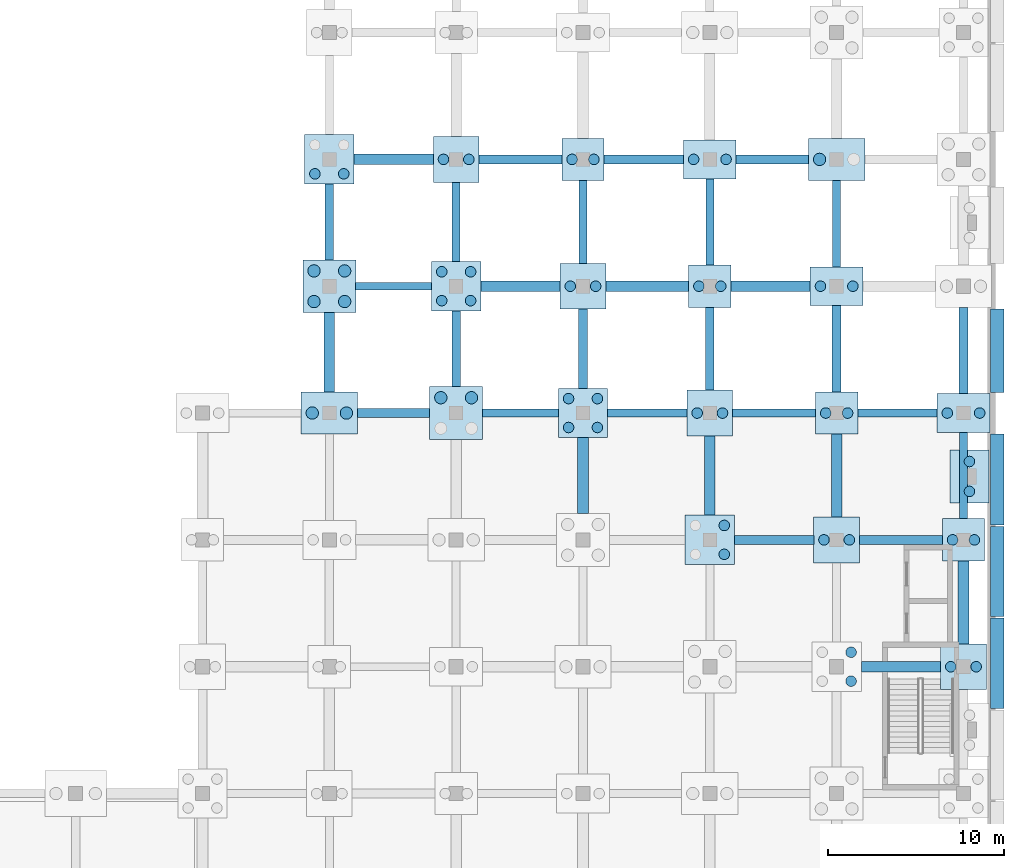
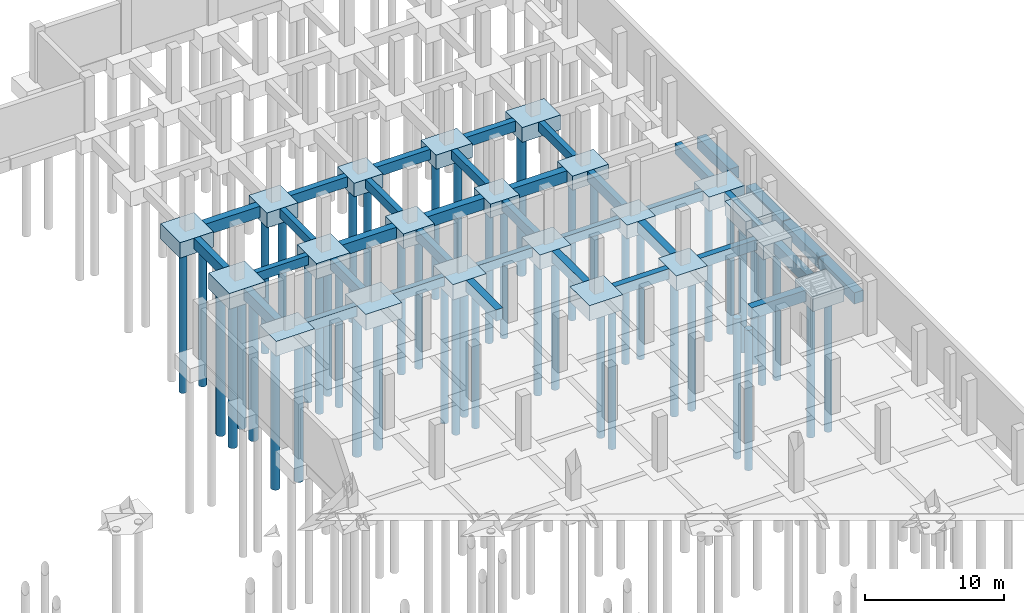
# One storey, part 14 of 38: 57 footings, 49 piles.
"""IFC4 building model written with IfcOpenShell, lengths in metres."""

from ifc_helpers import new_model, si_unit, direction, frame, origin, origin_2d, place, context, subcontext, project, spatial, rectangle, circle, extrude, material, material_profile, profile_set, type_object, element, save


model = new_model("IFC4")

# Units and contexts
model_context = context("Model", 3, precision=1e-05, world=origin(), true_north=direction((0.0, 1.0)))
body_context = subcontext(model_context, "Body", "Model", "MODEL_VIEW")
ifc_project = project(units=[si_unit("LENGTHUNIT", "METRE"), si_unit("AREAUNIT", "SQUARE_METRE"), si_unit("VOLUMEUNIT", "CUBIC_METRE"), si_unit("PLANEANGLEUNIT", "RADIAN"), si_unit("MASSUNIT", "GRAM", prefix="KILO")], contexts=[model_context])

# Site, building, storey
site_placement = place(None, origin())
site = spatial("IfcSite", under=ifc_project, at=site_placement, CompositionType="ELEMENT")
building_placement = place(site_placement, origin())
building = spatial("IfcBuilding", under=site, at=building_placement, Name="Valkovuoma Quantum and Materials Research Institute", CompositionType="ELEMENT")
storey_placement = place(building_placement, frame((0.0, 0.0, -4.800048828125)))
storey = spatial("IfcBuildingStorey", under=building, at=storey_placement, Name="B1", CompositionType="ELEMENT", Elevation=-4.800048828125)

# Footings
ifc_material_1 = material(Name="Concrete C35/45", Category="concrete")
footing_type_1 = type_object("IfcFootingType", Name="Cap-PC-03", PredefinedType="PILE_CAP", material=ifc_material_1)
for number, where, z_axis, x_axis, name in (
    (1, (144.0, 93.60009765625, -1.19970703125), (0.0, 0.0, 1.0), (1.0, 0.0, 0.0), "B1 pile cap 21P"),
    (2, (151.199951171875, 86.39990234375, -1.19970703125), (0.0, 0.0, 1.0), (1.0, 0.0, 0.0), "B1 pile cap 22N"),
    (3, (158.39990234375, 79.199951171875, -1.19970703125), (0.0, 0.0, 1.0), (1.0, 0.0, 0.0), "B1 pile cap 23M"),
    (4, (165.60009765625, 72.0, -1.19970703125), (0.0, 0.0, 1.0), (1.0, 0.0, 0.0), "B1 pile cap 24L"),
):
    element("IfcFooting", number, at=place(storey_placement, frame(where, z_axis=z_axis, x_axis=x_axis)), inside=storey, type_object=footing_type_1, Name=name, PredefinedType="PILE_CAP", context=body_context, shape_type="SweptSolid", body=[
        extrude(rectangle(XDim=2.39990234375, YDim=2.39990234375, at=origin_2d()), origin(), (0.0, 0.0, 1.0), 1.199951171875),
    ])
ifc_material_2 = material(Name="Concrete C35/45", Category="concrete")
footing_type_2 = type_object("IfcFootingType", Name="Cap-PC-04", PredefinedType="PILE_CAP", material=ifc_material_2)
for number, where, z_axis, x_axis, name in (
    (5, (136.800048828125, 93.60009765625, -1.2998046875), (0.0, 0.0, 1.0), (1.0, 0.0, 0.0), "B1 pile cap 20P"),
    (6, (144.0, 86.39990234375, -1.2998046875), (0.0, 0.0, 1.0), (1.0, 0.0, 0.0), "B1 pile cap 21N"),
    (7, (151.199951171875, 79.199951171875, -1.2998046875), (0.0, 0.0, 1.0), (1.0, 0.0, 0.0), "B1 pile cap 22M"),
    (8, (158.39990234375, 72.0, -1.2998046875), (0.0, 0.0, 1.0), (1.0, 0.0, 0.0), "B1 pile cap 23L"),
    (9, (165.60009765625, 64.800048828125, -1.2998046875), (0.0, 0.0, 1.0), (1.0, 0.0, 0.0), "B1 pile cap 24K"),
):
    element("IfcFooting", number, at=place(storey_placement, frame(where, z_axis=z_axis, x_axis=x_axis)), inside=storey, type_object=footing_type_2, Name=name, PredefinedType="PILE_CAP", context=body_context, shape_type="SweptSolid", body=[
        extrude(rectangle(XDim=2.60009765625, YDim=2.60009765625, at=origin_2d()), origin(), (0.0, 0.0, 1.0), 1.300048828125),
    ])
ifc_material_3 = material(Name="Concrete C35/45", Category="concrete")
footing_type_3 = type_object("IfcFootingType", Name="Cap-PC-05", PredefinedType="PILE_CAP", material=ifc_material_3)
for number, where, z_axis, x_axis, name in (
    (10, (129.60009765625, 93.60009765625, -1.35009765625), (0.0, 0.0, 1.0), (1.0, 0.0, 0.0), "B1 pile cap 19P"),
    (11, (136.800048828125, 86.39990234375, -1.35009765625), (0.0, 0.0, 1.0), (1.0, 0.0, 0.0), "B1 pile cap 20N"),
    (12, (144.0, 79.199951171875, -1.35009765625), (0.0, 0.0, 1.0), (1.0, 0.0, 0.0), "B1 pile cap 21M"),
    (13, (151.199951171875, 72.0, -1.35009765625), (0.0, 0.0, 1.0), (1.0, 0.0, 0.0), "B1 pile cap 22L"),
):
    element("IfcFooting", number, at=place(storey_placement, frame(where, z_axis=z_axis, x_axis=x_axis)), inside=storey, type_object=footing_type_3, Name=name, PredefinedType="PILE_CAP", context=body_context, shape_type="SweptSolid", body=[
        extrude(rectangle(XDim=2.800048828125, YDim=2.800048828125, at=origin_2d()), origin(), (0.0, 0.0, 1.0), 1.35009765625),
    ])
ifc_material_4 = material(Name="Concrete C35/45", Category="concrete")
footing_type_4 = type_object("IfcFootingType", Name="Cap-PC-06", PredefinedType="PILE_CAP", material=ifc_material_4)
for number, where, z_axis, x_axis, name in (
    (14, (129.60009765625, 86.39990234375, -1.39990234375), (0.0, 0.0, 1.0), (1.0, 0.0, 0.0), "B1 pile cap 19N"),
    (15, (136.800048828125, 79.199951171875, -1.39990234375), (0.0, 0.0, 1.0), (1.0, 0.0, 0.0), "B1 pile cap 20M"),
):
    element("IfcFooting", number, at=place(storey_placement, frame(where, z_axis=z_axis, x_axis=x_axis)), inside=storey, type_object=footing_type_4, Name=name, PredefinedType="PILE_CAP", context=body_context, shape_type="SweptSolid", body=[
        extrude(rectangle(XDim=3.0, YDim=3.0, at=origin_2d()), origin(), (0.0, 0.0, 1.0), 1.39990234375),
    ])
ifc_material_5 = material(Name="Concrete C35/45", Category="concrete")
footing_type_5 = type_object("IfcFootingType", Name="Cap-PC-11", PredefinedType="PILE_CAP", material=ifc_material_5)
for number, where, z_axis, x_axis, name in (
    (16, (151.199951171875, 93.60009765625, -1.25), (0.0, 0.0, 1.0), (1.0, 0.0, 0.0), "B1 pile cap 22P"),
    (17, (158.39990234375, 86.39990234375, -1.25), (0.0, 0.0, 1.0), (1.0, 0.0, 0.0), "B1 pile cap 23N"),
    (18, (165.60009765625, 79.199951171875, -1.25), (0.0, 0.0, 1.0), (1.0, 0.0, 0.0), "B1 pile cap 24M"),
):
    element("IfcFooting", number, at=place(storey_placement, frame(where, z_axis=z_axis, x_axis=x_axis)), inside=storey, type_object=footing_type_5, Name=name, PredefinedType="PILE_CAP", context=body_context, shape_type="SweptSolid", body=[
        extrude(rectangle(XDim=3.0, YDim=2.199951171875, at=origin_2d()), origin(), (0.0, 0.0, 1.0), 1.25),
    ])
footing_1_placement = place(storey_placement, frame((165.93994140625, 75.60009765625, -1.25), z_axis=(0.0, 0.0, 1.0), x_axis=(1.0, 0.0, 0.0)))
element("IfcFooting", 19, at=footing_1_placement, inside=storey, type_object=footing_type_5, Name="B1 pilaster pile cap 03", PredefinedType="PILE_CAP", context=body_context, shape_type="SweptSolid", body=[
    extrude(rectangle(XDim=2.199951171875, YDim=3.0, at=origin_2d()), origin(), (0.0, 0.0, 1.0), 1.25),
])
ifc_material_6 = material(Name="Concrete C35/45", Category="concrete")
footing_type_6 = type_object("IfcFootingType", Name="Cap-PC-12", PredefinedType="PILE_CAP", material=ifc_material_6)
for number, where, z_axis, x_axis, name in (
    (20, (129.60009765625, 79.199951171875, -1.2998046875), (0.0, 0.0, 1.0), (1.0, 0.0, 0.0), "B1 pile cap 19M"),
    (21, (158.39990234375, 93.60009765625, -1.2998046875), (0.0, 0.0, 1.0), (1.0, 0.0, 0.0), "B1 pile cap 23P"),
):
    element("IfcFooting", number, at=place(storey_placement, frame(where, z_axis=z_axis, x_axis=x_axis)), inside=storey, type_object=footing_type_6, Name=name, PredefinedType="PILE_CAP", context=body_context, shape_type="SweptSolid", body=[
        extrude(rectangle(XDim=3.199951171875, YDim=2.39990234375, at=origin_2d()), origin(), (0.0, 0.0, 1.0), 1.300048828125),
    ])
ifc_material_7 = material(Name="Concrete C35/45", Category="concrete")
footing_type_7 = type_object("IfcFootingType", Name="GndBeam-FB-01", PredefinedType="FOOTING_BEAM", material=ifc_material_7)
for number, where, z_axis, x_axis, name in (
    (22, (133.25, 86.39990234375, -0.7998046875), (0.0, 0.0, 1.0), (1.0, 0.0, 0.0), "B1 ground tie beam X-297"),
    (23, (140.449951171875, 79.199951171875, -0.7998046875), (0.0, 0.0, 1.0), (1.0, 0.0, 0.0), "B1 ground tie beam X-321"),
):
    element("IfcFooting", number, at=place(storey_placement, frame(where, z_axis=z_axis, x_axis=x_axis)), inside=storey, type_object=footing_type_7, Name=name, PredefinedType="FOOTING_BEAM", context=body_context, shape_type="SweptSolid", body=[
        extrude(rectangle(XDim=4.300048828125, YDim=0.449951171875, at=origin_2d()), origin(), (0.0, 0.0, 1.0), 0.800048828125),
    ])
for number, where, z_axis, x_axis, name in (
    (24, (136.800048828125, 90.050048828125, -0.7998046875), (0.0, 0.0, 1.0), (0.0, 1.0, 0.0), "B1 ground tie beam Y-324"),
    (25, (147.64990234375, 79.199951171875, -0.7998046875), (0.0, 0.0, 1.0), (1.0, 0.0, 0.0), "B1 ground tie beam X-354"),
):
    element("IfcFooting", number, at=place(storey_placement, frame(where, z_axis=z_axis, x_axis=x_axis)), inside=storey, type_object=footing_type_7, Name=name, PredefinedType="FOOTING_BEAM", context=body_context, shape_type="SweptSolid", body=[
        extrude(rectangle(XDim=4.5, YDim=0.449951171875, at=origin_2d()), origin(), (0.0, 0.0, 1.0), 0.800048828125),
    ])
for number, where, z_axis, x_axis, name in (
    (26, (144.0, 90.050048828125, -0.7998046875), (0.0, 0.0, 1.0), (0.0, 1.0, 0.0), "B1 ground tie beam Y-357"),
    (27, (154.85009765625, 79.199951171875, -0.7998046875), (0.0, 0.0, 1.0), (1.0, 0.0, 0.0), "B1 ground tie beam X-387"),
):
    element("IfcFooting", number, at=place(storey_placement, frame(where, z_axis=z_axis, x_axis=x_axis)), inside=storey, type_object=footing_type_7, Name=name, PredefinedType="FOOTING_BEAM", context=body_context, shape_type="SweptSolid", body=[
        extrude(rectangle(XDim=4.699951171875, YDim=0.449951171875, at=origin_2d()), origin(), (0.0, 0.0, 1.0), 0.800048828125),
    ])
footing_2_placement = place(storey_placement, frame((151.199951171875, 90.050048828125, -0.7998046875), z_axis=(0.0, 0.0, 1.0), x_axis=(0.0, 1.0, 0.0)))
element("IfcFooting", 28, at=footing_2_placement, inside=storey, type_object=footing_type_7, Name="B1 ground tie beam Y-390", PredefinedType="FOOTING_BEAM", context=body_context, shape_type="SweptSolid", body=[
    extrude(rectangle(XDim=4.89990234375, YDim=0.449951171875, at=origin_2d()), origin(), (0.0, 0.0, 1.0), 0.800048828125),
])
footing_3_placement = place(storey_placement, frame((161.85009765625, 79.199951171875, -0.7998046875), z_axis=(0.0, 0.0, 1.0), x_axis=(1.0, 0.0, 0.0)))
element("IfcFooting", 29, at=footing_3_placement, inside=storey, type_object=footing_type_7, Name="B1 ground tie beam X-420", PredefinedType="FOOTING_BEAM", context=body_context, shape_type="SweptSolid", body=[
    extrude(rectangle(XDim=4.5, YDim=0.449951171875, at=origin_2d()), origin(), (0.0, 0.0, 1.0), 0.800048828125),
])
for number, where, z_axis, x_axis, name in (
    (30, (158.39990234375, 89.949951171875, -0.7998046875), (0.0, 0.0, 1.0), (0.0, 1.0, 0.0), "B1 ground tie beam Y-423"),
    (31, (165.60009765625, 75.64990234375, -0.7998046875), (0.0, 0.0, 1.0), (0.0, 1.0, 0.0), "B1 ground tie beam Y-441"),
):
    element("IfcFooting", number, at=place(storey_placement, frame(where, z_axis=z_axis, x_axis=x_axis)), inside=storey, type_object=footing_type_7, Name=name, PredefinedType="FOOTING_BEAM", context=body_context, shape_type="SweptSolid", body=[
        extrude(rectangle(XDim=4.89990234375, YDim=0.449951171875, at=origin_2d()), origin(), (0.0, 0.0, 1.0), 0.800048828125),
    ])
ifc_material_8 = material(Name="Concrete C35/45", Category="concrete")
footing_type_8 = type_object("IfcFootingType", Name="GndBeam-FB-02", PredefinedType="FOOTING_BEAM", material=ifc_material_8)
footing_4_placement = place(storey_placement, frame((133.25, 79.199951171875, -0.89990234375), z_axis=(0.0, 0.0, 1.0), x_axis=(1.0, 0.0, 0.0)))
element("IfcFooting", 32, at=footing_4_placement, inside=storey, type_object=footing_type_8, Name="B1 ground tie beam X-295", PredefinedType="FOOTING_BEAM", context=body_context, shape_type="SweptSolid", body=[
    extrude(rectangle(XDim=4.10009765625, YDim=0.5, at=origin_2d()), origin(), (0.0, 0.0, 1.0), 0.89990234375),
])
for number, where, z_axis, x_axis, name in (
    (33, (129.60009765625, 90.050048828125, -0.89990234375), (0.0, 0.0, 1.0), (0.0, 1.0, 0.0), "B1 ground tie beam Y-298"),
    (34, (136.800048828125, 82.85009765625, -0.89990234375), (0.0, 0.0, 1.0), (0.0, 1.0, 0.0), "B1 ground tie beam Y-322"),
):
    element("IfcFooting", number, at=place(storey_placement, frame(where, z_axis=z_axis, x_axis=x_axis)), inside=storey, type_object=footing_type_8, Name=name, PredefinedType="FOOTING_BEAM", context=body_context, shape_type="SweptSolid", body=[
        extrude(rectangle(XDim=4.300048828125, YDim=0.5, at=origin_2d()), origin(), (0.0, 0.0, 1.0), 0.89990234375),
    ])
footing_5_placement = place(storey_placement, frame((140.449951171875, 93.60009765625, -0.89990234375), z_axis=(0.0, 0.0, 1.0), x_axis=(1.0, 0.0, 0.0)))
element("IfcFooting", 35, at=footing_5_placement, inside=storey, type_object=footing_type_8, Name="B1 ground tie beam X-325", PredefinedType="FOOTING_BEAM", context=body_context, shape_type="SweptSolid", body=[
    extrude(rectangle(XDim=4.699951171875, YDim=0.5, at=origin_2d()), origin(), (0.0, 0.0, 1.0), 0.89990234375),
])
for number, where, z_axis, x_axis, name in (
    (36, (144.0, 82.85009765625, -0.89990234375), (0.0, 0.0, 1.0), (0.0, 1.0, 0.0), "B1 ground tie beam Y-355"),
    (37, (147.449951171875, 93.60009765625, -0.89990234375), (0.0, 0.0, 1.0), (1.0, 0.0, 0.0), "B1 ground tie beam X-358"),
    (38, (154.85009765625, 72.0, -0.89990234375), (0.0, 0.0, 1.0), (1.0, 0.0, 0.0), "B1 ground tie beam X-385"),
):
    element("IfcFooting", number, at=place(storey_placement, frame(where, z_axis=z_axis, x_axis=x_axis)), inside=storey, type_object=footing_type_8, Name=name, PredefinedType="FOOTING_BEAM", context=body_context, shape_type="SweptSolid", body=[
        extrude(rectangle(XDim=4.5, YDim=0.5, at=origin_2d()), origin(), (0.0, 0.0, 1.0), 0.89990234375),
    ])
footing_6_placement = place(storey_placement, frame((151.199951171875, 82.85009765625, -0.89990234375), z_axis=(0.0, 0.0, 1.0), x_axis=(0.0, 1.0, 0.0)))
element("IfcFooting", 39, at=footing_6_placement, inside=storey, type_object=footing_type_8, Name="B1 ground tie beam Y-388", PredefinedType="FOOTING_BEAM", context=body_context, shape_type="SweptSolid", body=[
    extrude(rectangle(XDim=4.699951171875, YDim=0.5, at=origin_2d()), origin(), (0.0, 0.0, 1.0), 0.89990234375),
])
footing_7_placement = place(storey_placement, frame((154.75, 93.60009765625, -0.89990234375), z_axis=(0.0, 0.0, 1.0), x_axis=(1.0, 0.0, 0.0)))
element("IfcFooting", 40, at=footing_7_placement, inside=storey, type_object=footing_type_8, Name="B1 ground tie beam X-391", PredefinedType="FOOTING_BEAM", context=body_context, shape_type="SweptSolid", body=[
    extrude(rectangle(XDim=4.10009765625, YDim=0.5, at=origin_2d()), origin(), (0.0, 0.0, 1.0), 0.89990234375),
])
footing_8_placement = place(storey_placement, frame((162.050048828125, 72.0, -0.89990234375), z_axis=(0.0, 0.0, 1.0), x_axis=(1.0, 0.0, 0.0)))
element("IfcFooting", 41, at=footing_8_placement, inside=storey, type_object=footing_type_8, Name="B1 ground tie beam X-418", PredefinedType="FOOTING_BEAM", context=body_context, shape_type="SweptSolid", body=[
    extrude(rectangle(XDim=4.699951171875, YDim=0.5, at=origin_2d()), origin(), (0.0, 0.0, 1.0), 0.89990234375),
])
for number, where, z_axis, x_axis, name in (
    (42, (158.39990234375, 82.85009765625, -0.89990234375), (0.0, 0.0, 1.0), (0.0, 1.0, 0.0), "B1 ground tie beam Y-421"),
    (43, (165.60009765625, 82.75, -0.89990234375), (0.0, 0.0, 1.0), (0.0, 1.0, 0.0), "B1 ground tie beam Y-442"),
):
    element("IfcFooting", number, at=place(storey_placement, frame(where, z_axis=z_axis, x_axis=x_axis)), inside=storey, type_object=footing_type_8, Name=name, PredefinedType="FOOTING_BEAM", context=body_context, shape_type="SweptSolid", body=[
        extrude(rectangle(XDim=4.89990234375, YDim=0.5, at=origin_2d()), origin(), (0.0, 0.0, 1.0), 0.89990234375),
    ])
ifc_material_9 = material(Name="Concrete C35/45", Category="concrete")
footing_type_9 = type_object("IfcFootingType", Name="GndBeam-FB-03", PredefinedType="FOOTING_BEAM", material=ifc_material_9)
for number, where, z_axis, x_axis, name in (
    (44, (129.60009765625, 82.64990234375, -1.0), (0.0, 0.0, 1.0), (0.0, 1.0, 0.0), "B1 ground tie beam Y-296"),
    (45, (133.25, 93.60009765625, -1.0), (0.0, 0.0, 1.0), (1.0, 0.0, 0.0), "B1 ground tie beam X-299"),
    (46, (140.449951171875, 86.39990234375, -1.0), (0.0, 0.0, 1.0), (1.0, 0.0, 0.0), "B1 ground tie beam X-323"),
):
    element("IfcFooting", number, at=place(storey_placement, frame(where, z_axis=z_axis, x_axis=x_axis)), inside=storey, type_object=footing_type_9, Name=name, PredefinedType="FOOTING_BEAM", context=body_context, shape_type="SweptSolid", body=[
        extrude(rectangle(XDim=4.5, YDim=0.60009765625, at=origin_2d()), origin(), (0.0, 0.0, 1.0), 1.0),
    ])
footing_9_placement = place(storey_placement, frame((144.0, 75.64990234375, -1.0), z_axis=(0.0, 0.0, 1.0), x_axis=(0.0, 1.0, 0.0)))
element("IfcFooting", 47, at=footing_9_placement, inside=storey, type_object=footing_type_9, Name="B1 ground tie beam Y-353", PredefinedType="FOOTING_BEAM", context=body_context, shape_type="SweptSolid", body=[
    extrude(rectangle(XDim=4.300048828125, YDim=0.60009765625, at=origin_2d()), origin(), (0.0, 0.0, 1.0), 1.0),
])
footing_10_placement = place(storey_placement, frame((147.64990234375, 86.39990234375, -1.0), z_axis=(0.0, 0.0, 1.0), x_axis=(1.0, 0.0, 0.0)))
element("IfcFooting", 48, at=footing_10_placement, inside=storey, type_object=footing_type_9, Name="B1 ground tie beam X-356", PredefinedType="FOOTING_BEAM", context=body_context, shape_type="SweptSolid", body=[
    extrude(rectangle(XDim=4.699951171875, YDim=0.60009765625, at=origin_2d()), origin(), (0.0, 0.0, 1.0), 1.0),
])
for number, where, z_axis, x_axis, name in (
    (49, (151.199951171875, 75.64990234375, -1.0), (0.0, 0.0, 1.0), (0.0, 1.0, 0.0), "B1 ground tie beam Y-386"),
    (50, (154.64990234375, 86.39990234375, -1.0), (0.0, 0.0, 1.0), (1.0, 0.0, 0.0), "B1 ground tie beam X-389"),
    (51, (162.050048828125, 64.800048828125, -1.0), (0.0, 0.0, 1.0), (1.0, 0.0, 0.0), "B1 ground tie beam X-416"),
):
    element("IfcFooting", number, at=place(storey_placement, frame(where, z_axis=z_axis, x_axis=x_axis)), inside=storey, type_object=footing_type_9, Name=name, PredefinedType="FOOTING_BEAM", context=body_context, shape_type="SweptSolid", body=[
        extrude(rectangle(XDim=4.5, YDim=0.60009765625, at=origin_2d()), origin(), (0.0, 0.0, 1.0), 1.0),
    ])
for number, where, z_axis, x_axis, name in (
    (52, (158.39990234375, 75.64990234375, -1.0), (0.0, 0.0, 1.0), (0.0, 1.0, 0.0), "B1 ground tie beam Y-419"),
    (53, (165.60009765625, 68.449951171875, -1.0), (0.0, 0.0, 1.0), (0.0, 1.0, 0.0), "B1 ground tie beam Y-440"),
):
    element("IfcFooting", number, at=place(storey_placement, frame(where, z_axis=z_axis, x_axis=x_axis)), inside=storey, type_object=footing_type_9, Name=name, PredefinedType="FOOTING_BEAM", context=body_context, shape_type="SweptSolid", body=[
        extrude(rectangle(XDim=4.699951171875, YDim=0.60009765625, at=origin_2d()), origin(), (0.0, 0.0, 1.0), 1.0),
    ])
ifc_material_10 = material(Name="Concrete C35/45", Category="concrete")
footing_type_10 = type_object("IfcFootingType", Name="Pad-PF-04", PredefinedType="PAD_FOOTING", material=ifc_material_10)
for number, where, z_axis, x_axis, name in (
    (54, (167.52001953125, 65.0, -1.0), (0.0, 0.0, 1.0), (0.0, 1.0, 0.0), "B1 retaining wall pad footing 025"),
    (55, (167.52001953125, 70.2080078125, -1.0), (0.0, 0.0, 1.0), (0.0, 1.0, 0.0), "B1 retaining wall pad footing 026"),
):
    element("IfcFooting", number, at=place(storey_placement, frame(where, z_axis=z_axis, x_axis=x_axis)), inside=storey, type_object=footing_type_10, Name=name, PredefinedType="PAD_FOOTING", context=body_context, shape_type="SweptSolid", body=[
        extrude(rectangle(XDim=5.1279296875, YDim=0.760009765625, at=origin_2d()), origin(), (0.0, 0.0, 1.0), 1.0),
    ])
footing_11_placement = place(storey_placement, frame((167.52001953125, 75.43603515625, -1.0), z_axis=(0.0, 0.0, 1.0), x_axis=(0.0, 1.0, 0.0)))
element("IfcFooting", 56, at=footing_11_placement, inside=storey, type_object=footing_type_10, Name="B1 retaining wall pad footing 027", PredefinedType="PAD_FOOTING", context=body_context, shape_type="SweptSolid", body=[
    extrude(rectangle(XDim=5.16796875, YDim=0.760009765625, at=origin_2d()), origin(), (0.0, 0.0, 1.0), 1.0),
])
footing_12_placement = place(storey_placement, frame((167.52001953125, 82.75, -1.0), z_axis=(0.0, 0.0, 1.0), x_axis=(0.0, 1.0, 0.0)))
element("IfcFooting", 57, at=footing_12_placement, inside=storey, type_object=footing_type_10, Name="B1 retaining wall pad footing 028", PredefinedType="PAD_FOOTING", context=body_context, shape_type="SweptSolid", body=[
    extrude(rectangle(XDim=4.739990234375, YDim=0.760009765625, at=origin_2d()), origin(), (0.0, 0.0, 1.0), 1.0),
])

# Piles
ifc_material_11 = material(Name="Concrete C40/50", Category="concrete")
ifc_material_profile_1 = material_profile(ifc_material_11, circle(Radius=0.300048828125, at=origin_2d()), Name="Concrete C40/50")
ifc_profile_set_1 = profile_set([ifc_material_profile_1], Name="Concrete C40/50")
pile_type_1 = type_object("IfcPileType", Name="Pile-PL-B600", PredefinedType="BORED", material=ifc_profile_set_1)
for number, where, z_axis, x_axis, name in (
    (58, (128.780029296875, 92.780029296875, -1.25), (0.0, 0.0, -1.0), (1.0, 0.0, 0.0), "B1 pile 19P-1"),
    (59, (130.419921875, 92.780029296875, -1.25), (0.0, 0.0, -1.0), (1.0, 0.0, 0.0), "B1 pile 19P-2"),
    (60, (135.97998046875, 85.580078125, -1.25), (0.0, 0.0, -1.0), (1.0, 0.0, 0.0), "B1 pile 20N-1"),
    (61, (137.6201171875, 85.580078125, -1.25), (0.0, 0.0, -1.0), (1.0, 0.0, 0.0), "B1 pile 20N-2"),
    (62, (135.97998046875, 87.219970703125, -1.25), (0.0, 0.0, -1.0), (1.0, 0.0, 0.0), "B1 pile 20N-3"),
    (63, (137.6201171875, 87.219970703125, -1.25), (0.0, 0.0, -1.0), (1.0, 0.0, 0.0), "B1 pile 20N-4"),
):
    element("IfcPile", number, at=place(storey_placement, frame(where, z_axis=z_axis, x_axis=x_axis)), inside=storey, type_object=pile_type_1, Name=name, PredefinedType="BORED", context=body_context, shape_type="SweptSolid", body=[
        extrude(circle(Radius=0.300048828125, at=origin_2d()), origin(), (0.0, 0.0, 1.0), 12.35009765625),
    ])
for number, where, z_axis, x_axis, name in (
    (64, (136.080078125, 93.60009765625, -1.199951171875), (0.0, 0.0, -1.0), (1.0, 0.0, 0.0), "B1 pile 20P-1"),
    (65, (137.52001953125, 93.60009765625, -1.199951171875), (0.0, 0.0, -1.0), (1.0, 0.0, 0.0), "B1 pile 20P-2"),
):
    element("IfcPile", number, at=place(storey_placement, frame(where, z_axis=z_axis, x_axis=x_axis)), inside=storey, type_object=pile_type_1, Name=name, PredefinedType="BORED", context=body_context, shape_type="SweptSolid", body=[
        extrude(circle(Radius=0.300048828125, at=origin_2d()), origin(), (0.0, 0.0, 1.0), 12.0),
    ])
for number, where, z_axis, x_axis, name in (
    (66, (143.179931640625, 78.3798828125, -1.25), (0.0, 0.0, -1.0), (1.0, 0.0, 0.0), "B1 pile 21M-1"),
    (67, (144.820068359375, 78.3798828125, -1.25), (0.0, 0.0, -1.0), (1.0, 0.0, 0.0), "B1 pile 21M-2"),
    (68, (143.179931640625, 80.02001953125, -1.25), (0.0, 0.0, -1.0), (1.0, 0.0, 0.0), "B1 pile 21M-3"),
    (69, (144.820068359375, 80.02001953125, -1.25), (0.0, 0.0, -1.0), (1.0, 0.0, 0.0), "B1 pile 21M-4"),
):
    element("IfcPile", number, at=place(storey_placement, frame(where, z_axis=z_axis, x_axis=x_axis)), inside=storey, type_object=pile_type_1, Name=name, PredefinedType="BORED", context=body_context, shape_type="SweptSolid", body=[
        extrude(circle(Radius=0.300048828125, at=origin_2d()), origin(), (0.0, 0.0, 1.0), 12.35009765625),
    ])
for number, where, z_axis, x_axis, name in (
    (70, (143.280029296875, 86.39990234375, -1.199951171875), (0.0, 0.0, -1.0), (1.0, 0.0, 0.0), "B1 pile 21N-1"),
    (71, (144.719970703125, 86.39990234375, -1.199951171875), (0.0, 0.0, -1.0), (1.0, 0.0, 0.0), "B1 pile 21N-2"),
):
    element("IfcPile", number, at=place(storey_placement, frame(where, z_axis=z_axis, x_axis=x_axis)), inside=storey, type_object=pile_type_1, Name=name, PredefinedType="BORED", context=body_context, shape_type="SweptSolid", body=[
        extrude(circle(Radius=0.300048828125, at=origin_2d()), origin(), (0.0, 0.0, 1.0), 12.0),
    ])
for number, where, z_axis, x_axis, name in (
    (72, (143.3798828125, 93.60009765625, -1.099853515625), (0.0, 0.0, -1.0), (1.0, 0.0, 0.0), "B1 pile 21P-1"),
    (73, (144.6201171875, 93.60009765625, -1.099853515625), (0.0, 0.0, -1.0), (1.0, 0.0, 0.0), "B1 pile 21P-2"),
):
    element("IfcPile", number, at=place(storey_placement, frame(where, z_axis=z_axis, x_axis=x_axis)), inside=storey, type_object=pile_type_1, Name=name, PredefinedType="BORED", context=body_context, shape_type="SweptSolid", body=[
        extrude(circle(Radius=0.300048828125, at=origin_2d()), origin(), (0.0, 0.0, 1.0), 11.89990234375),
    ])
for number, where, z_axis, x_axis, name in (
    (74, (152.02001953125, 71.179931640625, -1.25), (0.0, 0.0, -1.0), (1.0, 0.0, 0.0), "B1 pile 22L-2"),
    (75, (152.02001953125, 72.820068359375, -1.25), (0.0, 0.0, -1.0), (1.0, 0.0, 0.0), "B1 pile 22L-4"),
):
    element("IfcPile", number, at=place(storey_placement, frame(where, z_axis=z_axis, x_axis=x_axis)), inside=storey, type_object=pile_type_1, Name=name, PredefinedType="BORED", context=body_context, shape_type="SweptSolid", body=[
        extrude(circle(Radius=0.300048828125, at=origin_2d()), origin(), (0.0, 0.0, 1.0), 12.35009765625),
    ])
for number, where, z_axis, x_axis, name in (
    (76, (150.47998046875, 79.199951171875, -1.199951171875), (0.0, 0.0, -1.0), (1.0, 0.0, 0.0), "B1 pile 22M-1"),
    (77, (151.919921875, 79.199951171875, -1.199951171875), (0.0, 0.0, -1.0), (1.0, 0.0, 0.0), "B1 pile 22M-2"),
):
    element("IfcPile", number, at=place(storey_placement, frame(where, z_axis=z_axis, x_axis=x_axis)), inside=storey, type_object=pile_type_1, Name=name, PredefinedType="BORED", context=body_context, shape_type="SweptSolid", body=[
        extrude(circle(Radius=0.300048828125, at=origin_2d()), origin(), (0.0, 0.0, 1.0), 12.0),
    ])
for number, where, z_axis, x_axis, name in (
    (78, (150.580078125, 86.39990234375, -1.099853515625), (0.0, 0.0, -1.0), (1.0, 0.0, 0.0), "B1 pile 22N-1"),
    (79, (151.820068359375, 86.39990234375, -1.099853515625), (0.0, 0.0, -1.0), (1.0, 0.0, 0.0), "B1 pile 22N-2"),
):
    element("IfcPile", number, at=place(storey_placement, frame(where, z_axis=z_axis, x_axis=x_axis)), inside=storey, type_object=pile_type_1, Name=name, PredefinedType="BORED", context=body_context, shape_type="SweptSolid", body=[
        extrude(circle(Radius=0.300048828125, at=origin_2d()), origin(), (0.0, 0.0, 1.0), 11.89990234375),
    ])
for number, where, z_axis, x_axis, name in (
    (80, (150.280029296875, 93.60009765625, -1.14990234375), (0.0, 0.0, -1.0), (1.0, 0.0, 0.0), "B1 pile 22P-1"),
    (81, (152.1201171875, 93.60009765625, -1.14990234375), (0.0, 0.0, -1.0), (1.0, 0.0, 0.0), "B1 pile 22P-2"),
):
    element("IfcPile", number, at=place(storey_placement, frame(where, z_axis=z_axis, x_axis=x_axis)), inside=storey, type_object=pile_type_1, Name=name, PredefinedType="BORED", context=body_context, shape_type="SweptSolid", body=[
        extrude(circle(Radius=0.300048828125, at=origin_2d()), origin(), (0.0, 0.0, 1.0), 12.25),
    ])
for number, where, z_axis, x_axis, name in (
    (82, (159.219970703125, 63.97998046875, -1.25), (0.0, 0.0, -1.0), (1.0, 0.0, 0.0), "B1 pile 23K-2"),
    (83, (159.219970703125, 65.6201171875, -1.25), (0.0, 0.0, -1.0), (1.0, 0.0, 0.0), "B1 pile 23K-4"),
):
    element("IfcPile", number, at=place(storey_placement, frame(where, z_axis=z_axis, x_axis=x_axis)), inside=storey, type_object=pile_type_1, Name=name, PredefinedType="BORED", context=body_context, shape_type="SweptSolid", body=[
        extrude(circle(Radius=0.300048828125, at=origin_2d()), origin(), (0.0, 0.0, 1.0), 12.35009765625),
    ])
for number, where, z_axis, x_axis, name in (
    (84, (157.679931640625, 72.0, -1.199951171875), (0.0, 0.0, -1.0), (1.0, 0.0, 0.0), "B1 pile 23L-1"),
    (85, (159.1201171875, 72.0, -1.199951171875), (0.0, 0.0, -1.0), (1.0, 0.0, 0.0), "B1 pile 23L-2"),
):
    element("IfcPile", number, at=place(storey_placement, frame(where, z_axis=z_axis, x_axis=x_axis)), inside=storey, type_object=pile_type_1, Name=name, PredefinedType="BORED", context=body_context, shape_type="SweptSolid", body=[
        extrude(circle(Radius=0.300048828125, at=origin_2d()), origin(), (0.0, 0.0, 1.0), 12.0),
    ])
for number, where, z_axis, x_axis, name in (
    (86, (157.780029296875, 79.199951171875, -1.099853515625), (0.0, 0.0, -1.0), (1.0, 0.0, 0.0), "B1 pile 23M-1"),
    (87, (159.02001953125, 79.199951171875, -1.099853515625), (0.0, 0.0, -1.0), (1.0, 0.0, 0.0), "B1 pile 23M-2"),
):
    element("IfcPile", number, at=place(storey_placement, frame(where, z_axis=z_axis, x_axis=x_axis)), inside=storey, type_object=pile_type_1, Name=name, PredefinedType="BORED", context=body_context, shape_type="SweptSolid", body=[
        extrude(circle(Radius=0.300048828125, at=origin_2d()), origin(), (0.0, 0.0, 1.0), 11.89990234375),
    ])
for number, where, z_axis, x_axis, name in (
    (88, (157.47998046875, 86.39990234375, -1.14990234375), (0.0, 0.0, -1.0), (1.0, 0.0, 0.0), "B1 pile 23N-1"),
    (89, (159.320068359375, 86.39990234375, -1.14990234375), (0.0, 0.0, -1.0), (1.0, 0.0, 0.0), "B1 pile 23N-2"),
):
    element("IfcPile", number, at=place(storey_placement, frame(where, z_axis=z_axis, x_axis=x_axis)), inside=storey, type_object=pile_type_1, Name=name, PredefinedType="BORED", context=body_context, shape_type="SweptSolid", body=[
        extrude(circle(Radius=0.300048828125, at=origin_2d()), origin(), (0.0, 0.0, 1.0), 12.25),
    ])
for number, where, z_axis, x_axis, name in (
    (90, (164.8798828125, 64.800048828125, -1.199951171875), (0.0, 0.0, -1.0), (1.0, 0.0, 0.0), "B1 pile 24K-1"),
    (91, (166.320068359375, 64.800048828125, -1.199951171875), (0.0, 0.0, -1.0), (1.0, 0.0, 0.0), "B1 pile 24K-2"),
):
    element("IfcPile", number, at=place(storey_placement, frame(where, z_axis=z_axis, x_axis=x_axis)), inside=storey, type_object=pile_type_1, Name=name, PredefinedType="BORED", context=body_context, shape_type="SweptSolid", body=[
        extrude(circle(Radius=0.300048828125, at=origin_2d()), origin(), (0.0, 0.0, 1.0), 12.0),
    ])
for number, where, z_axis, x_axis, name in (
    (92, (164.97998046875, 72.0, -1.099853515625), (0.0, 0.0, -1.0), (1.0, 0.0, 0.0), "B1 pile 24L-1"),
    (93, (166.219970703125, 72.0, -1.099853515625), (0.0, 0.0, -1.0), (1.0, 0.0, 0.0), "B1 pile 24L-2"),
):
    element("IfcPile", number, at=place(storey_placement, frame(where, z_axis=z_axis, x_axis=x_axis)), inside=storey, type_object=pile_type_1, Name=name, PredefinedType="BORED", context=body_context, shape_type="SweptSolid", body=[
        extrude(circle(Radius=0.300048828125, at=origin_2d()), origin(), (0.0, 0.0, 1.0), 11.89990234375),
    ])
for number, where, z_axis, x_axis, name in (
    (94, (164.679931640625, 79.199951171875, -1.14990234375), (0.0, 0.0, -1.0), (1.0, 0.0, 0.0), "B1 pile 24M-1"),
    (95, (166.52001953125, 79.199951171875, -1.14990234375), (0.0, 0.0, -1.0), (1.0, 0.0, 0.0), "B1 pile 24M-2"),
):
    element("IfcPile", number, at=place(storey_placement, frame(where, z_axis=z_axis, x_axis=x_axis)), inside=storey, type_object=pile_type_1, Name=name, PredefinedType="BORED", context=body_context, shape_type="SweptSolid", body=[
        extrude(circle(Radius=0.300048828125, at=origin_2d()), origin(), (0.0, 0.0, 1.0), 12.25),
    ])
for number, where, z_axis, x_axis, name in (
    (96, (165.93994140625, 74.75, -1.14990234375), (0.0, 0.0, -1.0), (1.0, 0.0, 0.0), "B1 pilaster pile 03-1"),
    (97, (165.93994140625, 76.449951171875, -1.14990234375), (0.0, 0.0, -1.0), (1.0, 0.0, 0.0), "B1 pilaster pile 03-2"),
):
    element("IfcPile", number, at=place(storey_placement, frame(where, z_axis=z_axis, x_axis=x_axis)), inside=storey, type_object=pile_type_1, Name=name, PredefinedType="BORED", context=body_context, shape_type="SweptSolid", body=[
        extrude(circle(Radius=0.300048828125, at=origin_2d()), origin(), (0.0, 0.0, 1.0), 12.0),
    ])
ifc_material_12 = material(Name="Concrete C40/50", Category="concrete")
ifc_material_profile_2 = material_profile(ifc_material_12, circle(Radius=0.35009765625, at=origin_2d()), Name="Concrete C40/50")
ifc_profile_set_2 = profile_set([ifc_material_profile_2], Name="Concrete C40/50")
pile_type_2 = type_object("IfcPileType", Name="Pile-PL-B700", PredefinedType="BORED", material=ifc_profile_set_2)
for number, where, z_axis, x_axis, name in (
    (98, (128.6298828125, 79.199951171875, -1.199951171875), (0.0, 0.0, -1.0), (1.0, 0.0, 0.0), "B1 pile 19M-1"),
    (99, (130.570068359375, 79.199951171875, -1.199951171875), (0.0, 0.0, -1.0), (1.0, 0.0, 0.0), "B1 pile 19M-2"),
):
    element("IfcPile", number, at=place(storey_placement, frame(where, z_axis=z_axis, x_axis=x_axis)), inside=storey, type_object=pile_type_2, Name=name, PredefinedType="BORED", context=body_context, shape_type="SweptSolid", body=[
        extrude(circle(Radius=0.35009765625, at=origin_2d()), origin(), (0.0, 0.0, 1.0), 12.60009765625),
    ])
for number, where, z_axis, x_axis, name in (
    (100, (128.72998046875, 85.530029296875, -1.300048828125), (0.0, 0.0, -1.0), (1.0, 0.0, 0.0), "B1 pile 19N-1"),
    (101, (130.469970703125, 85.530029296875, -1.300048828125), (0.0, 0.0, -1.0), (1.0, 0.0, 0.0), "B1 pile 19N-2"),
    (102, (128.72998046875, 87.27001953125, -1.300048828125), (0.0, 0.0, -1.0), (1.0, 0.0, 0.0), "B1 pile 19N-3"),
    (103, (130.469970703125, 87.27001953125, -1.300048828125), (0.0, 0.0, -1.0), (1.0, 0.0, 0.0), "B1 pile 19N-4"),
    (104, (135.929931640625, 80.070068359375, -1.300048828125), (0.0, 0.0, -1.0), (1.0, 0.0, 0.0), "B1 pile 20M-3"),
    (105, (137.669921875, 80.070068359375, -1.300048828125), (0.0, 0.0, -1.0), (1.0, 0.0, 0.0), "B1 pile 20M-4"),
):
    element("IfcPile", number, at=place(storey_placement, frame(where, z_axis=z_axis, x_axis=x_axis)), inside=storey, type_object=pile_type_2, Name=name, PredefinedType="BORED", context=body_context, shape_type="SweptSolid", body=[
        extrude(circle(Radius=0.35009765625, at=origin_2d()), origin(), (0.0, 0.0, 1.0), 12.699951171875),
    ])
pile_placement = place(storey_placement, frame((157.429931640625, 93.60009765625, -1.199951171875), z_axis=(0.0, 0.0, -1.0), x_axis=(1.0, 0.0, 0.0)))
element("IfcPile", 106, at=pile_placement, inside=storey, type_object=pile_type_2, Name="B1 pile 23P-1", PredefinedType="BORED", context=body_context, shape_type="SweptSolid", body=[
    extrude(circle(Radius=0.35009765625, at=origin_2d()), origin(), (0.0, 0.0, 1.0), 12.60009765625),
])

save(model, "model.ifc")
